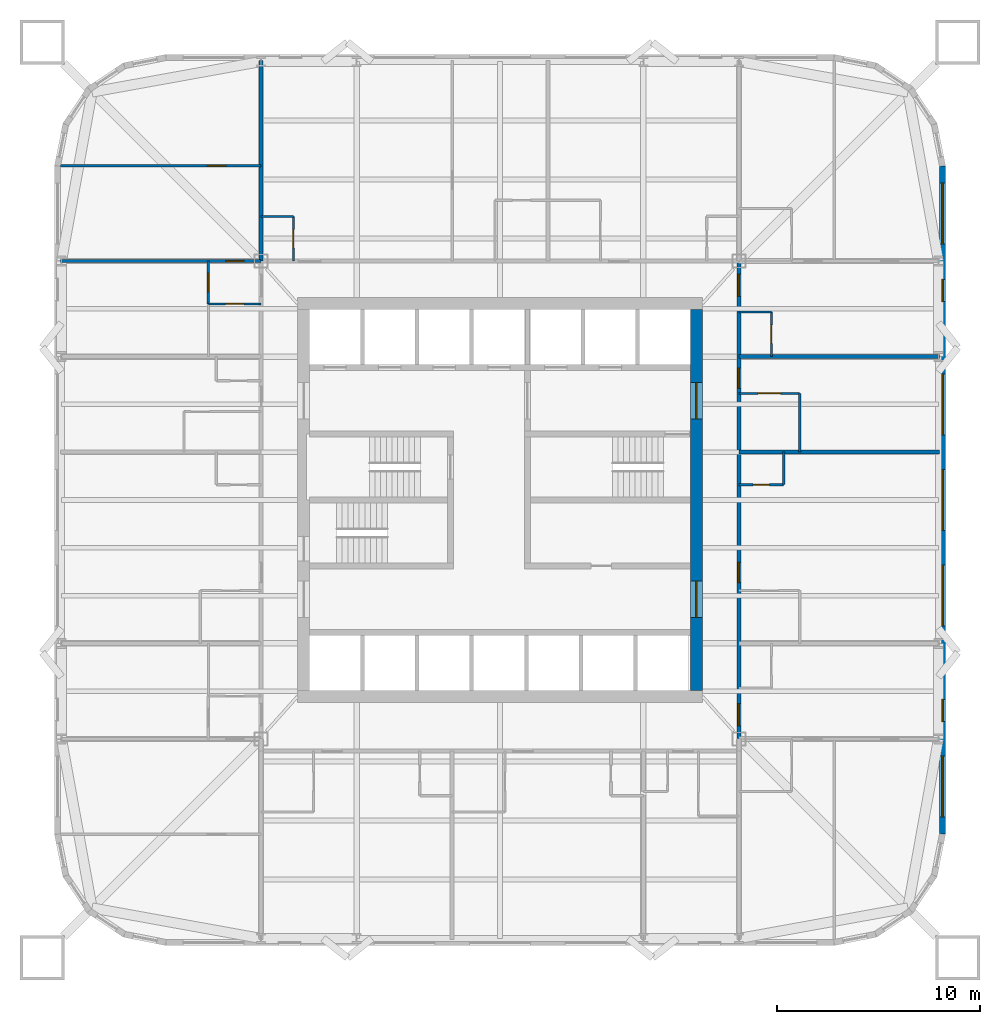
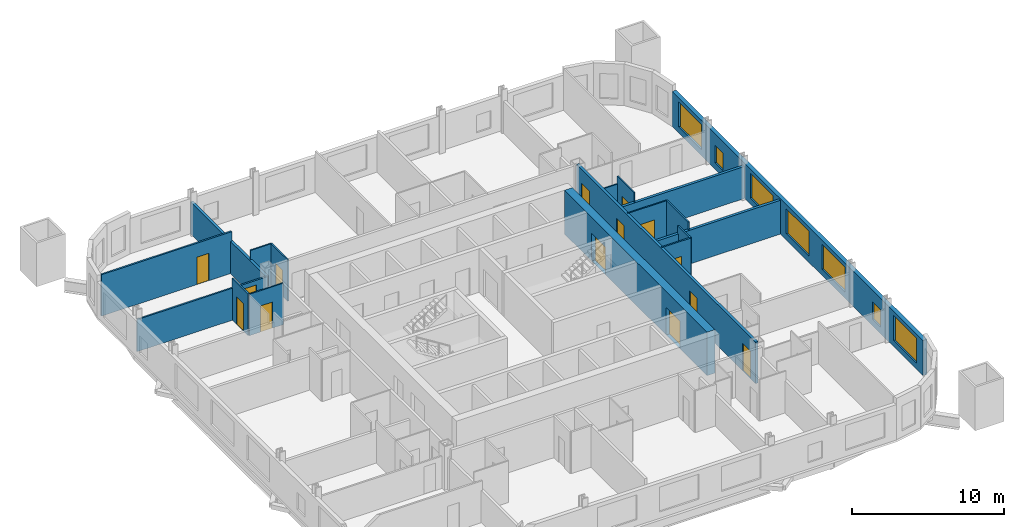
# One storey, part 6 of 9: 18 walls, 14 doors, 7 windows, 21 openings.
"""IFC4 building model written with IfcOpenShell, lengths in metres."""

from ifc_helpers import new_model, si_unit, direction, frame, frame_2d, origin, place, context, subcontext, project, spatial, rectangle, extrude, material, layer, layer_set, type_object, element, fill, save


model = new_model("IFC4")

# Units and contexts
model_context = context("Model", 3, precision=1e-05, world=origin(), true_north=direction((0.0, 1.0)))
body_context = subcontext(model_context, "Body", "Model", "MODEL_VIEW")
ifc_project = project(units=[si_unit("LENGTHUNIT", "METRE"), si_unit("AREAUNIT", "SQUARE_METRE"), si_unit("VOLUMEUNIT", "CUBIC_METRE"), si_unit("PLANEANGLEUNIT", "RADIAN"), si_unit("MASSUNIT", "GRAM", prefix="KILO")], contexts=[model_context])

# Site, building, storey
site_placement = place(None, origin())
site = spatial("IfcSite", under=ifc_project, at=site_placement, CompositionType="ELEMENT")
building_placement = place(site_placement, origin())
building = spatial("IfcBuilding", under=site, at=building_placement, Name="Turquesa Mirador Hotel Tower", CompositionType="ELEMENT")
storey_placement = place(building_placement, frame((0.0, 0.0, 67.0)))
storey = spatial("IfcBuildingStorey", under=building, at=storey_placement, Name="L17", CompositionType="ELEMENT", Elevation=67.0)

# Wall
ifc_material_1 = material(Name="Gypsum board on steel studs", Category="steel")
ifc_layer_1 = layer(ifc_material_1, 0.10009765625)
ifc_layer_set_1 = layer_set([ifc_layer_1], Name="BATHROOM WALL 100")
wall_type_1 = type_object("IfcWallType", Name="BATHROOM WALL 100", PredefinedType="PARTITIONING", material=ifc_layer_set_1)
wall_1_placement = place(storey_placement, frame((43.199951171875, 59.0, 0.0), z_axis=(0.0, 0.0, 1.0), x_axis=(1.0, 0.0, 0.0)))
element("IfcWall", 1, at=wall_1_placement, inside=storey, type_object=wall_type_1, Name="Partition L17 025", PredefinedType="PARTITIONING", context=body_context, shape_type="SweptSolid", body=[
    extrude(rectangle(XDim=1.60009765625, YDim=0.10009765625, at=frame_2d((0.800048828125, 0.0))), origin(), (0.0, 0.0, 1.0), 3.330078125),
])

# Wall, opening, door
wall_2_placement = place(storey_placement, frame((66.800048828125, 50.260009765625, 0.0), z_axis=(0.0, 0.0, 1.0), x_axis=(1.0, 0.0, 0.0)))
wall_2 = element("IfcWall", 2, at=wall_2_placement, inside=storey, type_object=wall_type_1, Name="Partition L17 033", PredefinedType="PARTITIONING", context=body_context, shape_type="SweptSolid", body=[
    extrude(rectangle(XDim=3.0, YDim=0.10009765625, at=frame_2d((1.5, 0.0))), origin(), (0.0, 0.0, 1.0), 3.330078125),
])
opening_1_placement = place(wall_2_placement, frame((0.949951171875, 0.0, 0.0)))
opening_1 = element("IfcOpeningElement", 3, at=opening_1_placement, cuts=wall_2, Name="Opening D16", PredefinedType="OPENING", context=body_context, shape_type="SweptSolid", body=[
    extrude(rectangle(XDim=1.10009765625, YDim=2.10009765625, at=frame_2d((0.550048828125, 1.050048828125))), frame((0.0, 0.06005859375, 0.0), z_axis=(0.0, -1.0, 0.0), x_axis=(1.0, 0.0, 0.0)), (0.0, 0.0, 1.0), 0.1201171875),
])
ifc_material_2 = material(Name="Timber veneered sliding door", Category="wood")
door_type_1 = type_object("IfcDoorType", Name="DOOR 1100X2100 ACCESSIBLE EN-SUITE", OperationType="SLIDING_TO_LEFT", PredefinedType="DOOR", material=ifc_material_2)
door_1_placement = place(opening_1_placement, origin())
door_1 = element("IfcDoor", 4, at=door_1_placement, inside=storey, type_object=door_type_1, Name="Door 1707B", OperationType="SLIDING_TO_LEFT", OverallHeight=2.10009765625, OverallWidth=1.10009765625, PredefinedType="DOOR", context=body_context, shape_type="SweptSolid", body=[
    extrude(rectangle(XDim=1.10009765625, YDim=2.10009765625, at=frame_2d((0.550048828125, 1.050048828125))), frame((0.0, 0.02490234375, 0.0), z_axis=(0.0, -1.0, 0.0), x_axis=(1.0, 0.0, 0.0)), (0.0, 0.0, 1.0), 0.050048828125),
])
fill(opening_1, door_1)

# Wall
wall_3_placement = place(storey_placement, frame((66.800048828125, 54.280029296875, 0.0), z_axis=(0.0, 0.0, 1.0), x_axis=(1.0, 0.0, 0.0)))
element("IfcWall", 5, at=wall_3_placement, inside=storey, type_object=wall_type_1, Name="Partition L17 037", PredefinedType="PARTITIONING", context=body_context, shape_type="SweptSolid", body=[
    extrude(rectangle(XDim=1.599853515625, YDim=0.10009765625, at=frame_2d((0.7998046875, 0.0))), origin(), (0.0, 0.0, 1.0), 2.722900390625),
])

# Wall, opening, door
wall_4_placement = place(storey_placement, frame((40.60009765625, 54.679931640625, 0.0), z_axis=(0.0, 0.0, 1.0), x_axis=(1.0, 0.0, 0.0)))
wall_4 = element("IfcWall", 6, at=wall_4_placement, inside=storey, type_object=wall_type_1, Name="Partition L17 038", PredefinedType="PARTITIONING", context=body_context, shape_type="SweptSolid", body=[
    extrude(rectangle(XDim=2.599853515625, YDim=0.10009765625, at=frame_2d((1.2998046875, 0.0))), origin(), (0.0, 0.0, 1.0), 3.330078125),
])
opening_2_placement = place(wall_4_placement, frame((0.85009765625, 0.0, 0.0)))
opening_2 = element("IfcOpeningElement", 7, at=opening_2_placement, cuts=wall_4, Name="Opening D02", PredefinedType="OPENING", context=body_context, shape_type="SweptSolid", body=[
    extrude(rectangle(XDim=0.89990234375, YDim=2.10009765625, at=frame_2d((0.449951171875, 1.050048828125))), frame((0.0, 0.06005859375, 0.0), z_axis=(0.0, -1.0, 0.0), x_axis=(1.0, 0.0, 0.0)), (0.0, 0.0, 1.0), 0.1201171875),
])
ifc_material_3 = material(Name="Timber veneered door", Category="wood")
door_type_2 = type_object("IfcDoorType", Name="DOOR 900X2100 EN-SUITE", OperationType="SINGLE_SWING_RIGHT", PredefinedType="DOOR", material=ifc_material_3)
door_2_placement = place(opening_2_placement, origin())
door_2 = element("IfcDoor", 8, at=door_2_placement, inside=storey, type_object=door_type_2, Name="Door 1711B", OperationType="SINGLE_SWING_RIGHT", OverallHeight=2.10009765625, OverallWidth=0.89990234375, PredefinedType="DOOR", context=body_context, shape_type="SweptSolid", body=[
    extrude(rectangle(XDim=0.89990234375, YDim=2.10009765625, at=frame_2d((0.449951171875, 1.050048828125))), frame((0.0, 0.02490234375, 0.0), z_axis=(0.0, -1.0, 0.0), x_axis=(1.0, 0.0, 0.0)), (0.0, 0.0, 1.0), 0.050048828125),
])
fill(opening_2, door_2)

wall_5_placement = place(storey_placement, frame((44.800048828125, 56.800048828125, 0.0), z_axis=(0.0, 0.0, 1.0), x_axis=(0.0, 1.0, 0.0)))
wall_5 = element("IfcWall", 9, at=wall_5_placement, inside=storey, type_object=wall_type_1, Name="Partition L17 040", PredefinedType="PARTITIONING", context=body_context, shape_type="SweptSolid", body=[
    extrude(rectangle(XDim=2.199951171875, YDim=0.10009765625, at=frame_2d((1.10009765625, 0.0))), origin(), (0.0, 0.0, 1.0), 3.330078125),
])
opening_3_placement = place(wall_5_placement, frame((0.64990234375, 0.0, 0.0)))
opening_3 = element("IfcOpeningElement", 10, at=opening_3_placement, cuts=wall_5, Name="Opening D06", PredefinedType="OPENING", context=body_context, shape_type="SweptSolid", body=[
    extrude(rectangle(XDim=0.89990234375, YDim=2.10009765625, at=frame_2d((0.449951171875, 1.050048828125))), frame((0.0, 0.06005859375, 0.0), z_axis=(0.0, -1.0, 0.0), x_axis=(1.0, 0.0, 0.0)), (0.0, 0.0, 1.0), 0.1201171875),
])
ifc_material_4 = material(Name="Laminate door", Category="wood")
door_type_3 = type_object("IfcDoorType", Name="DOOR 900X2100 WC", OperationType="SINGLE_SWING_LEFT", PredefinedType="DOOR", material=ifc_material_4)
door_3_placement = place(opening_3_placement, origin())
door_3 = element("IfcDoor", 11, at=door_3_placement, inside=storey, type_object=door_type_3, Name="Door 1701W", OperationType="SINGLE_SWING_LEFT", OverallHeight=2.10009765625, OverallWidth=0.89990234375, PredefinedType="DOOR", context=body_context, shape_type="SweptSolid", body=[
    extrude(rectangle(XDim=0.89990234375, YDim=2.10009765625, at=frame_2d((0.449951171875, 1.050048828125))), frame((0.0, 0.02490234375, 0.0), z_axis=(0.0, -1.0, 0.0), x_axis=(1.0, 0.0, 0.0)), (0.0, 0.0, 1.0), 0.050048828125),
])
fill(opening_3, door_3)

wall_6_placement = place(storey_placement, frame((68.39990234375, 52.080078125, 0.0), z_axis=(0.0, 0.0, 1.0), x_axis=(0.0, 1.0, 0.0)))
wall_6 = element("IfcWall", 12, at=wall_6_placement, inside=storey, type_object=wall_type_1, Name="Partition L17 062", PredefinedType="PARTITIONING", context=body_context, shape_type="SweptSolid", body=[
    extrude(rectangle(XDim=2.199951171875, YDim=0.10009765625, at=frame_2d((1.10009765625, 0.0))), origin(), (0.0, 0.0, 1.0), 3.330078125),
])
opening_4_placement = place(wall_6_placement, frame((0.64990234375, 0.0, 0.0)))
opening_4 = element("IfcOpeningElement", 13, at=opening_4_placement, cuts=wall_6, Name="Opening D06", PredefinedType="OPENING", context=body_context, shape_type="SweptSolid", body=[
    extrude(rectangle(XDim=0.89990234375, YDim=2.10009765625, at=frame_2d((0.449951171875, 1.050048828125))), frame((0.0, 0.06005859375, 0.0), z_axis=(0.0, -1.0, 0.0), x_axis=(1.0, 0.0, 0.0)), (0.0, 0.0, 1.0), 0.1201171875),
])
door_4_placement = place(opening_4_placement, origin())
door_4 = element("IfcDoor", 14, at=door_4_placement, inside=storey, type_object=door_type_3, Name="Door 1710W", OperationType="SINGLE_SWING_LEFT", OverallHeight=2.10009765625, OverallWidth=0.89990234375, PredefinedType="DOOR", context=body_context, shape_type="SweptSolid", body=[
    extrude(rectangle(XDim=0.89990234375, YDim=2.10009765625, at=frame_2d((0.449951171875, 1.050048828125))), frame((0.0, 0.02490234375, 0.0), z_axis=(0.0, -1.0, 0.0), x_axis=(1.0, 0.0, 0.0)), (0.0, 0.0, 1.0), 0.050048828125),
])
fill(opening_4, door_4)

# Wall
wall_7_placement = place(storey_placement, frame((69.800048828125, 47.360107421875, 0.0), z_axis=(0.0, 0.0, 1.0), x_axis=(0.0, 1.0, 0.0)))
element("IfcWall", 15, at=wall_7_placement, inside=storey, type_object=wall_type_1, Name="Partition L17 067", PredefinedType="PARTITIONING", context=body_context, shape_type="SweptSolid", body=[
    extrude(rectangle(XDim=2.89990234375, YDim=0.10009765625, at=frame_2d((1.449951171875, 0.0))), origin(), (0.0, 0.0, 1.0), 3.330078125),
])

# Wall, openings, doors
ifc_material_5 = material(Name="Concrete C50/60", Category="concrete")
ifc_layer_2 = layer(ifc_material_5, 0.60009765625)
ifc_layer_set_2 = layer_set([ifc_layer_2], Name="CORE WALL 600")
wall_type_2 = type_object("IfcWallType", Name="CORE WALL 600", PredefinedType="SHEAR", material=ifc_layer_set_2)
wall_8_placement = place(storey_placement, frame((64.699951171875, 35.60009765625, 0.0), z_axis=(0.0, 0.0, 1.0), x_axis=(0.0, 1.0, 0.0)))
wall_8 = element("IfcWall", 16, at=wall_8_placement, inside=storey, type_object=wall_type_2, Name="Core wall E", PredefinedType="SHEAR", context=body_context, shape_type="SweptSolid", body=[
    extrude(rectangle(XDim=18.7998046875, YDim=0.60009765625, at=frame_2d((9.39990234375, 0.0))), origin(), (0.0, 0.0, 1.0), 3.5),
])
opening_5_placement = place(wall_8_placement, frame((13.39990234375, 0.0, 0.0)))
opening_5 = element("IfcOpeningElement", 17, at=opening_5_placement, cuts=wall_8, Name="Opening D04", PredefinedType="OPENING", context=body_context, shape_type="SweptSolid", body=[
    extrude(rectangle(XDim=1.800048828125, YDim=2.199951171875, at=frame_2d((0.89990234375, 1.10009765625))), frame((0.0, 0.31005859375, 0.0), z_axis=(0.0, -1.0, 0.0), x_axis=(1.0, 0.0, 0.0)), (0.0, 0.0, 1.0), 0.6201171875),
])
opening_6_placement = place(wall_8_placement, frame((3.60009765625, 0.0, 0.0)))
opening_6 = element("IfcOpeningElement", 18, at=opening_6_placement, cuts=wall_8, Name="Opening D04", PredefinedType="OPENING", context=body_context, shape_type="SweptSolid", body=[
    extrude(rectangle(XDim=1.800048828125, YDim=2.199951171875, at=frame_2d((0.89990234375, 1.10009765625))), frame((0.0, 0.31005859375, 0.0), z_axis=(0.0, -1.0, 0.0), x_axis=(1.0, 0.0, 0.0)), (0.0, 0.0, 1.0), 0.6201171875),
])
ifc_material_6 = material(Name="Steel fire door pair", Category="steel")
door_type_4 = type_object("IfcDoorType", Name="DOOR 1800X2200 PAIR", OperationType="DOUBLE_DOOR_SINGLE_SWING", PredefinedType="DOOR", material=ifc_material_6)
door_5_placement = place(opening_5_placement, origin())
door_5 = element("IfcDoor", 19, at=door_5_placement, inside=storey, type_object=door_type_4, Name="Firefighting lobby door", OperationType="DOUBLE_DOOR_SINGLE_SWING", OverallHeight=2.199951171875, OverallWidth=1.800048828125, PredefinedType="DOOR", context=body_context, shape_type="SweptSolid", body=[
    extrude(rectangle(XDim=1.800048828125, YDim=2.199951171875, at=frame_2d((0.89990234375, 1.10009765625))), frame((0.0, 0.02490234375, 0.0), z_axis=(0.0, -1.0, 0.0), x_axis=(1.0, 0.0, 0.0)), (0.0, 0.0, 1.0), 0.050048828125),
])
fill(opening_5, door_5)
door_6_placement = place(opening_6_placement, origin())
door_6 = element("IfcDoor", 20, at=door_6_placement, inside=storey, type_object=door_type_4, Name="South lift lobby door", OperationType="DOUBLE_DOOR_SINGLE_SWING", OverallHeight=2.199951171875, OverallWidth=1.800048828125, PredefinedType="DOOR", context=body_context, shape_type="SweptSolid", body=[
    extrude(rectangle(XDim=1.800048828125, YDim=2.199951171875, at=frame_2d((0.89990234375, 1.10009765625))), frame((0.0, 0.02490234375, 0.0), z_axis=(0.0, -1.0, 0.0), x_axis=(1.0, 0.0, 0.0)), (0.0, 0.0, 1.0), 0.050048828125),
])
fill(opening_6, door_6)

ifc_material_7 = material(Name="Fire-rated gypsum board on steel studs", Category="steel")
ifc_layer_3 = layer(ifc_material_7, 0.199951171875)
ifc_layer_set_3 = layer_set([ifc_layer_3], Name="CORRIDOR WALL 200")
wall_type_3 = type_object("IfcWallType", Name="CORRIDOR WALL 200", PredefinedType="PARTITIONING", material=ifc_layer_set_3)
wall_9_placement = place(storey_placement, frame((66.800048828125, 33.219970703125, 0.0), z_axis=(0.0, 0.0, 1.0), x_axis=(0.0, 1.0, 0.0)))
wall_9 = element("IfcWall", 21, at=wall_9_placement, inside=storey, type_object=wall_type_3, Name="Partition L17 058", PredefinedType="PARTITIONING", context=body_context, shape_type="SweptSolid", body=[
    extrude(rectangle(XDim=23.580078125, YDim=0.199951171875, at=frame_2d((11.7900390625, 0.0))), origin(), (0.0, 0.0, 1.0), 3.330078125),
])
opening_7_placement = place(wall_9_placement, frame((7.699951171875, 0.0, 0.0)))
opening_7 = element("IfcOpeningElement", 22, at=opening_7_placement, cuts=wall_9, Name="Opening D01", PredefinedType="OPENING", context=body_context, shape_type="SweptSolid", body=[
    extrude(rectangle(XDim=1.0, YDim=2.199951171875, at=frame_2d((0.5, 1.10009765625))), frame((0.0, 0.10986328125, 0.0), z_axis=(0.0, -1.0, 0.0), x_axis=(1.0, 0.0, 0.0)), (0.0, 0.0, 1.0), 0.219970703125),
])
opening_8_placement = place(wall_9_placement, frame((17.2900390625, 0.0, 0.0)))
opening_8 = element("IfcOpeningElement", 23, at=opening_8_placement, cuts=wall_9, Name="Opening D01", PredefinedType="OPENING", context=body_context, shape_type="SweptSolid", body=[
    extrude(rectangle(XDim=1.0, YDim=2.199951171875, at=frame_2d((0.5, 1.10009765625))), frame((0.0, 0.10986328125, 0.0), z_axis=(0.0, -1.0, 0.0), x_axis=(1.0, 0.0, 0.0)), (0.0, 0.0, 1.0), 0.219970703125),
])
opening_9_placement = place(wall_9_placement, frame((21.830078125, 0.0, 0.0)))
opening_9 = element("IfcOpeningElement", 24, at=opening_9_placement, cuts=wall_9, Name="Opening D15", PredefinedType="OPENING", context=body_context, shape_type="SweptSolid", body=[
    extrude(rectangle(XDim=1.10009765625, YDim=2.199951171875, at=frame_2d((0.550048828125, 1.10009765625))), frame((0.0, 0.10986328125, 0.0), z_axis=(0.0, -1.0, 0.0), x_axis=(1.0, 0.0, 0.0)), (0.0, 0.0, 1.0), 0.219970703125),
])
opening_10_placement = place(wall_9_placement, frame((0.6298828125, 0.0, 0.0)))
opening_10 = element("IfcOpeningElement", 25, at=opening_10_placement, cuts=wall_9, Name="Opening D15", PredefinedType="OPENING", context=body_context, shape_type="SweptSolid", body=[
    extrude(rectangle(XDim=1.10009765625, YDim=2.199951171875, at=frame_2d((0.550048828125, 1.10009765625))), frame((0.0, 0.10986328125, 0.0), z_axis=(0.0, -1.0, 0.0), x_axis=(1.0, 0.0, 0.0)), (0.0, 0.0, 1.0), 0.219970703125),
])
ifc_material_8 = material(Name="Timber veneered fire door", Category="wood")
door_type_5 = type_object("IfcDoorType", Name="DOOR 1000X2200 GUEST ENTRY", OperationType="SINGLE_SWING_LEFT", PredefinedType="DOOR", material=ifc_material_8)
door_7_placement = place(opening_7_placement, origin())
door_7 = element("IfcDoor", 26, at=door_7_placement, inside=storey, type_object=door_type_5, Name="Door 1706", OperationType="SINGLE_SWING_LEFT", OverallHeight=2.199951171875, OverallWidth=1.0, PredefinedType="DOOR", context=body_context, shape_type="SweptSolid", body=[
    extrude(rectangle(XDim=1.0, YDim=2.199951171875, at=frame_2d((0.5, 1.10009765625))), frame((0.0, 0.02490234375, 0.0), z_axis=(0.0, -1.0, 0.0), x_axis=(1.0, 0.0, 0.0)), (0.0, 0.0, 1.0), 0.050048828125),
])
fill(opening_7, door_7)
door_8_placement = place(opening_8_placement, origin())
door_8 = element("IfcDoor", 27, at=door_8_placement, inside=storey, type_object=door_type_5, Name="Door 1707", OperationType="SINGLE_SWING_LEFT", OverallHeight=2.199951171875, OverallWidth=1.0, PredefinedType="DOOR", context=body_context, shape_type="SweptSolid", body=[
    extrude(rectangle(XDim=1.0, YDim=2.199951171875, at=frame_2d((0.5, 1.10009765625))), frame((0.0, 0.02490234375, 0.0), z_axis=(0.0, -1.0, 0.0), x_axis=(1.0, 0.0, 0.0)), (0.0, 0.0, 1.0), 0.050048828125),
])
fill(opening_8, door_8)
ifc_material_9 = material(Name="Timber veneered fire door", Category="wood")
door_type_6 = type_object("IfcDoorType", Name="DOOR 1100X2200 SUITE ENTRY", OperationType="SINGLE_SWING_LEFT", PredefinedType="DOOR", material=ifc_material_9)
door_9_placement = place(opening_9_placement, origin())
door_9 = element("IfcDoor", 28, at=door_9_placement, inside=storey, type_object=door_type_6, Name="Door 1710", OperationType="SINGLE_SWING_LEFT", OverallHeight=2.199951171875, OverallWidth=1.10009765625, PredefinedType="DOOR", context=body_context, shape_type="SweptSolid", body=[
    extrude(rectangle(XDim=1.10009765625, YDim=2.199951171875, at=frame_2d((0.550048828125, 1.10009765625))), frame((0.0, 0.02490234375, 0.0), z_axis=(0.0, -1.0, 0.0), x_axis=(1.0, 0.0, 0.0)), (0.0, 0.0, 1.0), 0.050048828125),
])
fill(opening_9, door_9)
door_10_placement = place(opening_10_placement, origin())
door_10 = element("IfcDoor", 29, at=door_10_placement, inside=storey, type_object=door_type_6, Name="Door 1713", OperationType="SINGLE_SWING_LEFT", OverallHeight=2.199951171875, OverallWidth=1.10009765625, PredefinedType="DOOR", context=body_context, shape_type="SweptSolid", body=[
    extrude(rectangle(XDim=1.10009765625, YDim=2.199951171875, at=frame_2d((0.550048828125, 1.10009765625))), frame((0.0, 0.02490234375, 0.0), z_axis=(0.0, -1.0, 0.0), x_axis=(1.0, 0.0, 0.0)), (0.0, 0.0, 1.0), 0.050048828125),
])
fill(opening_10, door_10)

# Wall, openings, windows
ifc_material_10 = material(Name="Limestone cladding on concrete block", Category="masonry")
ifc_layer_4 = layer(ifc_material_10, 0.300048828125)
ifc_layer_set_4 = layer_set([ifc_layer_4], Name="FACADE WALL 300 STONE SCREEN")
wall_type_4 = type_object("IfcWallType", Name="FACADE WALL 300 STONE SCREEN", PredefinedType="SOLIDWALL", material=ifc_layer_set_4)
wall_10_placement = place(storey_placement, frame((76.85009765625, 28.5, 0.0), z_axis=(0.0, 0.0, 1.0), x_axis=(0.0, 1.0, 0.0)))
wall_10 = element("IfcWall", 30, at=wall_10_placement, inside=storey, type_object=wall_type_4, Name="Facade wall L17 04", PredefinedType="SOLIDWALL", context=body_context, shape_type="SweptSolid", body=[
    extrude(rectangle(XDim=33.0, YDim=0.300048828125, at=frame_2d((16.5, 0.0))), origin(), (0.0, 0.0, 1.0), 2.830078125),
])
opening_11_placement = place(wall_10_placement, frame((0.85009765625, 0.0, 0.5)))
opening_11 = element("IfcOpeningElement", 31, at=opening_11_placement, cuts=wall_10, Name="Opening WN1", PredefinedType="OPENING", context=body_context, shape_type="SweptSolid", body=[
    extrude(rectangle(XDim=3.0, YDim=2.0, at=frame_2d((1.5, 1.0))), frame((0.0, 0.159912109375, 0.0), z_axis=(0.0, -1.0, 0.0), x_axis=(1.0, 0.0, 0.0)), (0.0, 0.0, 1.0), 0.320068359375),
])
opening_12_placement = place(wall_10_placement, frame((5.56005859375, 0.0, 0.5)))
opening_12 = element("IfcOpeningElement", 32, at=opening_12_placement, cuts=wall_10, Name="Opening WN37", PredefinedType="OPENING", context=body_context, shape_type="SweptSolid", body=[
    extrude(rectangle(XDim=1.10009765625, YDim=1.39990234375, at=frame_2d((0.550048828125, 0.699951171875))), frame((0.0, 0.159912109375, 0.0), z_axis=(0.0, -1.0, 0.0), x_axis=(1.0, 0.0, 0.0)), (0.0, 0.0, 1.0), 0.320068359375),
])
opening_13_placement = place(wall_10_placement, frame((10.280029296875, 0.0, 0.5)))
opening_13 = element("IfcOpeningElement", 33, at=opening_13_placement, cuts=wall_10, Name="Opening WN1", PredefinedType="OPENING", context=body_context, shape_type="SweptSolid", body=[
    extrude(rectangle(XDim=3.0, YDim=2.0, at=frame_2d((1.5, 1.0))), frame((0.0, 0.159912109375, 0.0), z_axis=(0.0, -1.0, 0.0), x_axis=(1.0, 0.0, 0.0)), (0.0, 0.0, 1.0), 0.320068359375),
])
opening_14_placement = place(wall_10_placement, frame((15.0, 0.0, 0.5)))
opening_14 = element("IfcOpeningElement", 34, at=opening_14_placement, cuts=wall_10, Name="Opening WN1", PredefinedType="OPENING", context=body_context, shape_type="SweptSolid", body=[
    extrude(rectangle(XDim=3.0, YDim=2.0, at=frame_2d((1.5, 1.0))), frame((0.0, 0.159912109375, 0.0), z_axis=(0.0, -1.0, 0.0), x_axis=(1.0, 0.0, 0.0)), (0.0, 0.0, 1.0), 0.320068359375),
])
opening_15_placement = place(wall_10_placement, frame((19.719970703125, 0.0, 0.5)))
opening_15 = element("IfcOpeningElement", 35, at=opening_15_placement, cuts=wall_10, Name="Opening WN1", PredefinedType="OPENING", context=body_context, shape_type="SweptSolid", body=[
    extrude(rectangle(XDim=3.0, YDim=2.0, at=frame_2d((1.5, 1.0))), frame((0.0, 0.159912109375, 0.0), z_axis=(0.0, -1.0, 0.0), x_axis=(1.0, 0.0, 0.0)), (0.0, 0.0, 1.0), 0.320068359375),
])
opening_16_placement = place(wall_10_placement, frame((26.2900390625, 0.0, 0.5)))
opening_16 = element("IfcOpeningElement", 36, at=opening_16_placement, cuts=wall_10, Name="Opening WN37", PredefinedType="OPENING", context=body_context, shape_type="SweptSolid", body=[
    extrude(rectangle(XDim=1.10009765625, YDim=1.39990234375, at=frame_2d((0.550048828125, 0.699951171875))), frame((0.0, 0.159912109375, 0.0), z_axis=(0.0, -1.0, 0.0), x_axis=(1.0, 0.0, 0.0)), (0.0, 0.0, 1.0), 0.320068359375),
])
opening_17_placement = place(wall_10_placement, frame((29.14990234375, 0.0, 0.5)))
opening_17 = element("IfcOpeningElement", 37, at=opening_17_placement, cuts=wall_10, Name="Opening WN1", PredefinedType="OPENING", context=body_context, shape_type="SweptSolid", body=[
    extrude(rectangle(XDim=3.0, YDim=2.0, at=frame_2d((1.5, 1.0))), frame((0.0, 0.159912109375, 0.0), z_axis=(0.0, -1.0, 0.0), x_axis=(1.0, 0.0, 0.0)), (0.0, 0.0, 1.0), 0.320068359375),
])
ifc_material_11 = material(Name="Ceramic-fritted laminated glass", Category="glass")
window_type_1 = type_object("IfcWindowType", Name="FRITTED WINDOW 1100X1400", PartitioningType="DOUBLE_PANEL_HORIZONTAL", PredefinedType="WINDOW", material=ifc_material_11)
window_1_placement = place(opening_12_placement, origin())
window_1 = element("IfcWindow", 38, at=window_1_placement, inside=storey, type_object=window_type_1, Name="Window L17", OverallHeight=1.39990234375, OverallWidth=1.10009765625, PartitioningType="SINGLE_PANEL", PredefinedType="WINDOW", context=body_context, shape_type="SweptSolid", body=[
    extrude(rectangle(XDim=1.10009765625, YDim=1.39990234375, at=frame_2d((0.550048828125, 0.699951171875))), frame((0.0, 0.030029296875, 0.0), z_axis=(0.0, -1.0, 0.0), x_axis=(1.0, 0.0, 0.0)), (0.0, 0.0, 1.0), 0.06005859375),
])
fill(opening_12, window_1)
window_2_placement = place(opening_16_placement, origin())
window_2 = element("IfcWindow", 39, at=window_2_placement, inside=storey, type_object=window_type_1, Name="Window L17", OverallHeight=1.39990234375, OverallWidth=1.10009765625, PartitioningType="SINGLE_PANEL", PredefinedType="WINDOW", context=body_context, shape_type="SweptSolid", body=[
    extrude(rectangle(XDim=1.10009765625, YDim=1.39990234375, at=frame_2d((0.550048828125, 0.699951171875))), frame((0.0, 0.030029296875, 0.0), z_axis=(0.0, -1.0, 0.0), x_axis=(1.0, 0.0, 0.0)), (0.0, 0.0, 1.0), 0.06005859375),
])
fill(opening_16, window_2)
ifc_material_12 = material(Name="Ceramic-fritted laminated glass", Category="glass")
window_type_2 = type_object("IfcWindowType", Name="FRITTED WINDOW 3000X2000", PartitioningType="DOUBLE_PANEL_HORIZONTAL", PredefinedType="WINDOW", material=ifc_material_12)
window_3_placement = place(opening_11_placement, origin())
window_3 = element("IfcWindow", 40, at=window_3_placement, inside=storey, type_object=window_type_2, Name="Window L17", OverallHeight=2.0, OverallWidth=3.0, PartitioningType="SINGLE_PANEL", PredefinedType="WINDOW", context=body_context, shape_type="SweptSolid", body=[
    extrude(rectangle(XDim=3.0, YDim=2.0, at=frame_2d((1.5, 1.0))), frame((0.0, 0.030029296875, 0.0), z_axis=(0.0, -1.0, 0.0), x_axis=(1.0, 0.0, 0.0)), (0.0, 0.0, 1.0), 0.06005859375),
])
fill(opening_11, window_3)
window_4_placement = place(opening_13_placement, origin())
window_4 = element("IfcWindow", 41, at=window_4_placement, inside=storey, type_object=window_type_2, Name="Window L17", OverallHeight=2.0, OverallWidth=3.0, PartitioningType="SINGLE_PANEL", PredefinedType="WINDOW", context=body_context, shape_type="SweptSolid", body=[
    extrude(rectangle(XDim=3.0, YDim=2.0, at=frame_2d((1.5, 1.0))), frame((0.0, 0.030029296875, 0.0), z_axis=(0.0, -1.0, 0.0), x_axis=(1.0, 0.0, 0.0)), (0.0, 0.0, 1.0), 0.06005859375),
])
fill(opening_13, window_4)
window_5_placement = place(opening_14_placement, origin())
window_5 = element("IfcWindow", 42, at=window_5_placement, inside=storey, type_object=window_type_2, Name="Window L17", OverallHeight=2.0, OverallWidth=3.0, PartitioningType="SINGLE_PANEL", PredefinedType="WINDOW", context=body_context, shape_type="SweptSolid", body=[
    extrude(rectangle(XDim=3.0, YDim=2.0, at=frame_2d((1.5, 1.0))), frame((0.0, 0.030029296875, 0.0), z_axis=(0.0, -1.0, 0.0), x_axis=(1.0, 0.0, 0.0)), (0.0, 0.0, 1.0), 0.06005859375),
])
fill(opening_14, window_5)
window_6_placement = place(opening_15_placement, origin())
window_6 = element("IfcWindow", 43, at=window_6_placement, inside=storey, type_object=window_type_2, Name="Window L17", OverallHeight=2.0, OverallWidth=3.0, PartitioningType="SINGLE_PANEL", PredefinedType="WINDOW", context=body_context, shape_type="SweptSolid", body=[
    extrude(rectangle(XDim=3.0, YDim=2.0, at=frame_2d((1.5, 1.0))), frame((0.0, 0.030029296875, 0.0), z_axis=(0.0, -1.0, 0.0), x_axis=(1.0, 0.0, 0.0)), (0.0, 0.0, 1.0), 0.06005859375),
])
fill(opening_15, window_6)
window_7_placement = place(opening_17_placement, origin())
window_7 = element("IfcWindow", 44, at=window_7_placement, inside=storey, type_object=window_type_2, Name="Window L17", OverallHeight=2.0, OverallWidth=3.0, PartitioningType="SINGLE_PANEL", PredefinedType="WINDOW", context=body_context, shape_type="SweptSolid", body=[
    extrude(rectangle(XDim=3.0, YDim=2.0, at=frame_2d((1.5, 1.0))), frame((0.0, 0.030029296875, 0.0), z_axis=(0.0, -1.0, 0.0), x_axis=(1.0, 0.0, 0.0)), (0.0, 0.0, 1.0), 0.06005859375),
])
fill(opening_17, window_7)

# Walls
ifc_material_13 = material(Name="Fire-rated gypsum board on steel studs", Category="steel")
ifc_layer_5 = layer(ifc_material_13, 0.199951171875)
ifc_layer_set_5 = layer_set([ifc_layer_5], Name="PARTY WALL 200")
wall_type_5 = type_object("IfcWallType", Name="PARTY WALL 200", PredefinedType="PARTITIONING", material=ifc_layer_set_5)
wall_11_placement = place(storey_placement, frame((66.800048828125, 47.360107421875, 0.0), z_axis=(0.0, 0.0, 1.0), x_axis=(1.0, 0.0, 0.0)))
element("IfcWall", 45, at=wall_11_placement, inside=storey, type_object=wall_type_5, Name="Partition L17 031", PredefinedType="PARTITIONING", context=body_context, shape_type="SweptSolid", body=[
    extrude(rectangle(XDim=9.89990234375, YDim=0.199951171875, at=frame_2d((4.949951171875, 0.0))), origin(), (0.0, 0.0, 1.0), 2.722900390625),
])
for number, where, z_axis, x_axis, name in (
    (46, (66.800048828125, 52.080078125, 0.0), (0.0, 0.0, 1.0), (1.0, 0.0, 0.0), "Partition L17 036"),
    (47, (43.199951171875, 56.800048828125, 0.0), (0.0, 0.0, 1.0), (0.0, 1.0, 0.0), "Partition L17 043"),
):
    element("IfcWall", number, at=place(storey_placement, frame(where, z_axis=z_axis, x_axis=x_axis)), inside=storey, type_object=wall_type_5, Name=name, PredefinedType="PARTITIONING", context=body_context, shape_type="SweptSolid", body=[
        extrude(rectangle(XDim=9.89990234375, YDim=0.199951171875, at=frame_2d((4.949951171875, 0.0))), origin(), (0.0, 0.0, 1.0), 2.572998046875),
    ])

# Wall, opening, door
ifc_material_14 = material(Name="Acoustic gypsum board on steel studs", Category="steel")
ifc_layer_6 = layer(ifc_material_14, 0.125)
ifc_layer_set_6 = layer_set([ifc_layer_6], Name="SUITE PARTITION 125")
wall_type_6 = type_object("IfcWallType", Name="SUITE PARTITION 125", PredefinedType="PARTITIONING", material=ifc_layer_set_6)
wall_12_placement = place(storey_placement, frame((66.800048828125, 45.760009765625, 0.0), z_axis=(0.0, 0.0, 1.0), x_axis=(1.0, 0.0, 0.0)))
wall_12 = element("IfcWall", 48, at=wall_12_placement, inside=storey, type_object=wall_type_6, Name="Partition L17 020", PredefinedType="PARTITIONING", context=body_context, shape_type="SweptSolid", body=[
    extrude(rectangle(XDim=2.199951171875, YDim=0.125, at=frame_2d((1.10009765625, 0.0))), origin(), (0.0, 0.0, 1.0), 3.330078125),
])
opening_18_placement = place(wall_12_placement, frame((0.699951171875, 0.0, 0.0)))
opening_18 = element("IfcOpeningElement", 49, at=opening_18_placement, cuts=wall_12, Name="Opening D20", PredefinedType="OPENING", context=body_context, shape_type="SweptSolid", body=[
    extrude(rectangle(XDim=0.800048828125, YDim=2.10009765625, at=frame_2d((0.39990234375, 1.050048828125))), frame((0.0, 0.072509765625, 0.0), z_axis=(0.0, -1.0, 0.0), x_axis=(1.0, 0.0, 0.0)), (0.0, 0.0, 1.0), 0.14501953125),
])
ifc_material_15 = material(Name="Timber veneered sliding door", Category="wood")
door_type_7 = type_object("IfcDoorType", Name="DOOR 800X2100 WARDROBE", OperationType="SLIDING_TO_LEFT", PredefinedType="DOOR", material=ifc_material_15)
door_11_placement = place(opening_18_placement, origin())
door_11 = element("IfcDoor", 50, at=door_11_placement, inside=storey, type_object=door_type_7, Name="Door 1706W", OperationType="SLIDING_TO_LEFT", OverallHeight=2.10009765625, OverallWidth=0.800048828125, PredefinedType="DOOR", context=body_context, shape_type="SweptSolid", body=[
    extrude(rectangle(XDim=0.800048828125, YDim=2.10009765625, at=frame_2d((0.39990234375, 1.050048828125))), frame((0.0, 0.02490234375, 0.0), z_axis=(0.0, -1.0, 0.0), x_axis=(1.0, 0.0, 0.0)), (0.0, 0.0, 1.0), 0.050048828125),
])
fill(opening_18, door_11)

wall_13_placement = place(storey_placement, frame((33.300048828125, 56.800048828125, 0.0), z_axis=(0.0, 0.0, 1.0), x_axis=(1.0, 0.0, 0.0)))
wall_13 = element("IfcWall", 51, at=wall_13_placement, inside=storey, type_object=wall_type_6, Name="Partition L17 023", PredefinedType="PARTITIONING", context=body_context, shape_type="SweptSolid", body=[
    extrude(rectangle(XDim=9.89990234375, YDim=0.125, at=frame_2d((4.949951171875, 0.0))), origin(), (0.0, 0.0, 1.0), 2.572998046875),
])
opening_19_placement = place(wall_13_placement, frame((8.14990234375, 0.0, 0.0)))
opening_19 = element("IfcOpeningElement", 52, at=opening_19_placement, cuts=wall_13, Name="Opening D17", PredefinedType="OPENING", context=body_context, shape_type="SweptSolid", body=[
    extrude(rectangle(XDim=0.89990234375, YDim=2.199951171875, at=frame_2d((0.449951171875, 1.10009765625))), frame((0.0, 0.072509765625, 0.0), z_axis=(0.0, -1.0, 0.0), x_axis=(1.0, 0.0, 0.0)), (0.0, 0.0, 1.0), 0.14501953125),
])
ifc_material_16 = material(Name="Timber veneered door", Category="wood")
door_type_8 = type_object("IfcDoorType", Name="DOOR 900X2200 SUITE INTERNAL", OperationType="SINGLE_SWING_LEFT", PredefinedType="DOOR", material=ifc_material_16)
door_12_placement = place(opening_19_placement, origin())
door_12 = element("IfcDoor", 53, at=door_12_placement, inside=storey, type_object=door_type_8, Name="Door 1711", OperationType="SINGLE_SWING_LEFT", OverallHeight=2.199951171875, OverallWidth=0.89990234375, PredefinedType="DOOR", context=body_context, shape_type="SweptSolid", body=[
    extrude(rectangle(XDim=0.89990234375, YDim=2.199951171875, at=frame_2d((0.449951171875, 1.10009765625))), frame((0.0, 0.02490234375, 0.0), z_axis=(0.0, -1.0, 0.0), x_axis=(1.0, 0.0, 0.0)), (0.0, 0.0, 1.0), 0.050048828125),
])
fill(opening_19, door_12)

wall_14_placement = place(storey_placement, frame((33.305908203125, 61.5, 0.0), z_axis=(0.0, 0.0, 1.0), x_axis=(1.0, 0.0, 0.0)))
wall_14 = element("IfcWall", 54, at=wall_14_placement, inside=storey, type_object=wall_type_6, Name="Partition L17 029", PredefinedType="PARTITIONING", context=body_context, shape_type="SweptSolid", body=[
    extrude(rectangle(XDim=9.89404296875, YDim=0.125, at=frame_2d((4.947021484375, 0.0))), origin(), (0.0, 0.0, 1.0), 3.330078125),
])
opening_20_placement = place(wall_14_placement, frame((7.244140625, 0.0, 0.0)))
opening_20 = element("IfcOpeningElement", 55, at=opening_20_placement, cuts=wall_14, Name="Opening D17", PredefinedType="OPENING", context=body_context, shape_type="SweptSolid", body=[
    extrude(rectangle(XDim=0.89990234375, YDim=2.199951171875, at=frame_2d((0.449951171875, 1.10009765625))), frame((0.0, 0.072509765625, 0.0), z_axis=(0.0, -1.0, 0.0), x_axis=(1.0, 0.0, 0.0)), (0.0, 0.0, 1.0), 0.14501953125),
])
door_13_placement = place(opening_20_placement, origin())
door_13 = element("IfcDoor", 56, at=door_13_placement, inside=storey, type_object=door_type_8, Name="Door 1711M", OperationType="SINGLE_SWING_LEFT", OverallHeight=2.199951171875, OverallWidth=0.89990234375, PredefinedType="DOOR", context=body_context, shape_type="SweptSolid", body=[
    extrude(rectangle(XDim=0.89990234375, YDim=2.199951171875, at=frame_2d((0.449951171875, 1.10009765625))), frame((0.0, 0.02490234375, 0.0), z_axis=(0.0, -1.0, 0.0), x_axis=(1.0, 0.0, 0.0)), (0.0, 0.0, 1.0), 0.050048828125),
])
fill(opening_20, door_13)

wall_15_placement = place(storey_placement, frame((40.60009765625, 54.679931640625, 0.0), z_axis=(0.0, 0.0, 1.0), x_axis=(0.0, 1.0, 0.0)))
wall_15 = element("IfcWall", 57, at=wall_15_placement, inside=storey, type_object=wall_type_6, Name="Partition L17 049", PredefinedType="PARTITIONING", context=body_context, shape_type="SweptSolid", body=[
    extrude(rectangle(XDim=2.1201171875, YDim=0.125, at=frame_2d((1.06005859375, 0.0))), origin(), (0.0, 0.0, 1.0), 3.330078125),
])
opening_21_placement = place(wall_15_placement, frame((0.610107421875, 0.0, 0.0)))
opening_21 = element("IfcOpeningElement", 58, at=opening_21_placement, cuts=wall_15, Name="Opening D17", PredefinedType="OPENING", context=body_context, shape_type="SweptSolid", body=[
    extrude(rectangle(XDim=0.89990234375, YDim=2.199951171875, at=frame_2d((0.449951171875, 1.10009765625))), frame((0.0, 0.072509765625, 0.0), z_axis=(0.0, -1.0, 0.0), x_axis=(1.0, 0.0, 0.0)), (0.0, 0.0, 1.0), 0.14501953125),
])
door_14_placement = place(opening_21_placement, origin())
door_14 = element("IfcDoor", 59, at=door_14_placement, inside=storey, type_object=door_type_8, Name="Door 1711R", OperationType="SINGLE_SWING_LEFT", OverallHeight=2.199951171875, OverallWidth=0.89990234375, PredefinedType="DOOR", context=body_context, shape_type="SweptSolid", body=[
    extrude(rectangle(XDim=0.89990234375, YDim=2.199951171875, at=frame_2d((0.449951171875, 1.10009765625))), frame((0.0, 0.02490234375, 0.0), z_axis=(0.0, -1.0, 0.0), x_axis=(1.0, 0.0, 0.0)), (0.0, 0.0, 1.0), 0.050048828125),
])
fill(opening_21, door_14)

# Wall
wall_16_placement = place(storey_placement, frame((69.0, 45.760009765625, 0.0), z_axis=(0.0, 0.0, 1.0), x_axis=(0.0, 1.0, 0.0)))
element("IfcWall", 60, at=wall_16_placement, inside=storey, type_object=wall_type_6, Name="Partition L17 063", PredefinedType="PARTITIONING", context=body_context, shape_type="SweptSolid", body=[
    extrude(rectangle(XDim=1.60009765625, YDim=0.125, at=frame_2d((0.800048828125, 0.0))), origin(), (0.0, 0.0, 1.0), 3.330078125),
])

save(model, "model.ifc")
